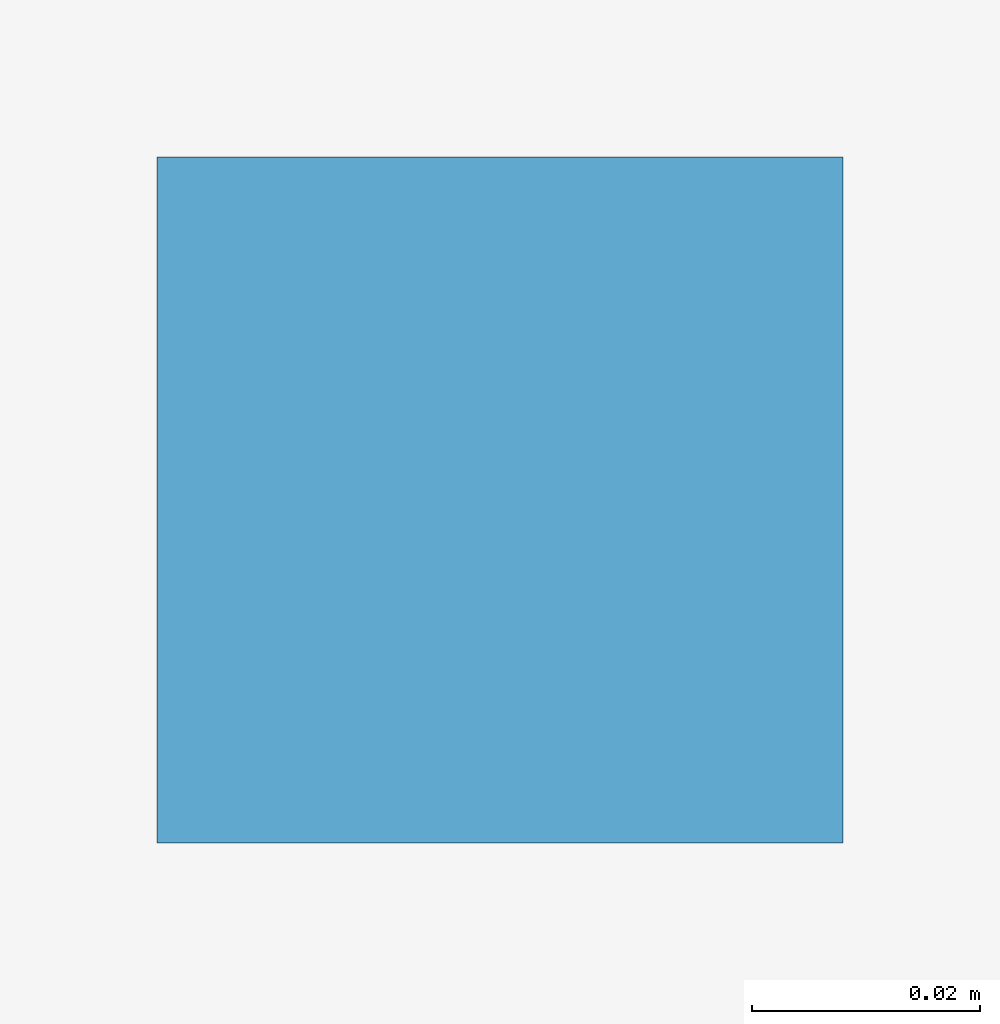
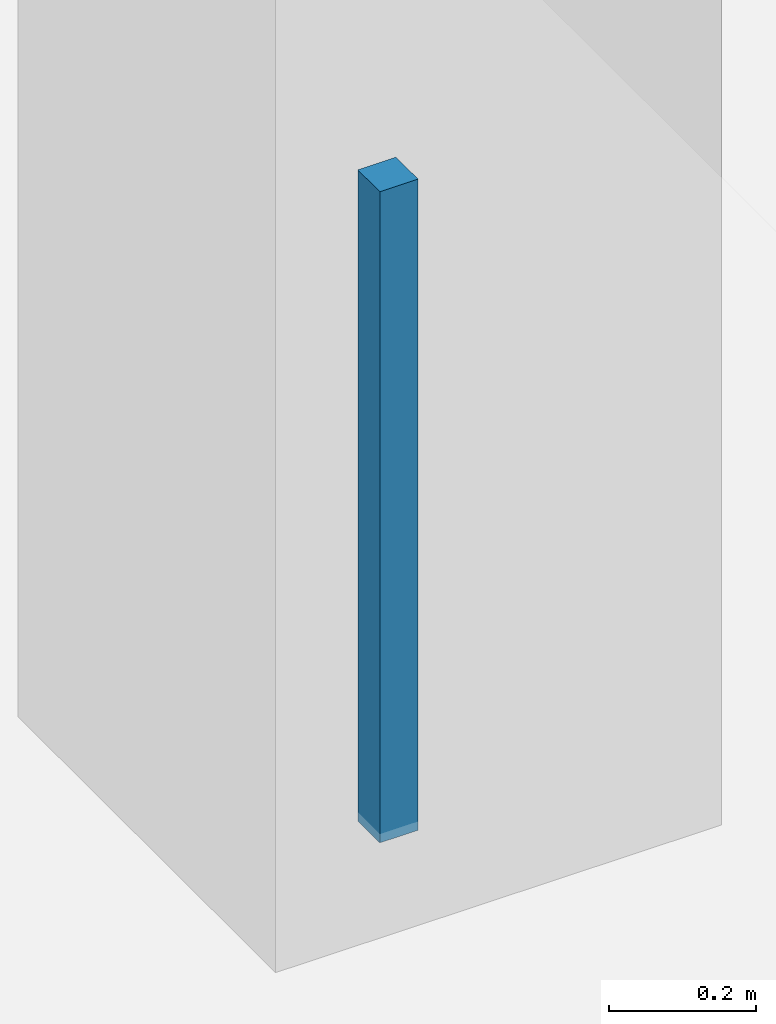
# One storey, part 83 of 91: 1 discrete accessory.
"""IFC4 building model written with IfcOpenShell, lengths in metres."""

import ifcopenshell
import ifcopenshell.guid

model = None  # the IFC model being written
_history = None  # IfcOwnerHistory: only IFC2X3 demands one
_inside = {}  # id of a spatial element -> (the spatial element, [elements in it])
_under = {}  # id of a project, library or spatial element -> (it, [spatial elements below it])
_declared = {}  # id of a project -> (the project, [libraries it declares])
_typed = {}  # id of a type object -> (the type object, [elements of that type])
_made_of = {}  # id of a material, layer set ... -> (it, [elements and type objects made of it])


def new_model(schema):
    """Start an empty IFC model of exactly this schema.

    Asked for "IFC4X3", IfcOpenShell would pick the latest addendum, in which some entities
    have other attributes; the version numbers below select the first issue.
    IFC2X3 requires an IfcOwnerHistory on every rooted entity: one is made here for all.
    """
    global model, _history
    if schema == "IFC4X3":
        model = ifcopenshell.file(schema_version=(4, 3, 0, 0))
    else:
        model = ifcopenshell.file(schema=schema)
    _inside.clear()
    _under.clear()
    _declared.clear()
    _typed.clear()
    _made_of.clear()
    _history = None
    if model.schema == "IFC2X3":
        org = make("IfcOrganization", Name="unknown")
        user = make(
            "IfcPersonAndOrganization",
            ThePerson=make("IfcPerson", FamilyName="unknown"),
            TheOrganization=org,
        )
        app = make(
            "IfcApplication",
            ApplicationDeveloper=org,
            Version="unknown",
            ApplicationFullName="unknown",
            ApplicationIdentifier="unknown",
        )
        _history = make(
            "IfcOwnerHistory",
            OwningUser=user,
            OwningApplication=app,
            ChangeAction="ADDED",
            CreationDate=0,
        )
    return model


def make(cls, **values):
    """One entity of the class cls with the attributes given. An attribute that is None is left unset."""
    return model.create_entity(
        cls, **{name: value for name, value in values.items() if value is not None}
    )


def rooted(cls, **values):
    """An entity with a GlobalId (a new one), such as an element, a storey or a relation."""
    return make(cls, GlobalId=ifcopenshell.guid.new(), OwnerHistory=_history, **values)


def si_unit(unit_type, name, prefix=None):
    """IfcSIUnit, for example si_unit("LENGTHUNIT", "METRE", prefix="MILLI")."""
    return make("IfcSIUnit", UnitType=unit_type, Prefix=prefix, Name=name)


def assignment(units):
    """IfcUnitAssignment: the units of a project."""
    return None if units is None else make("IfcUnitAssignment", Units=units)


def point(xyz):
    """IfcCartesianPoint."""
    return None if xyz is None else make("IfcCartesianPoint", Coordinates=xyz)


def direction(xyz):
    """IfcDirection."""
    return None if xyz is None else make("IfcDirection", DirectionRatios=xyz)


def frame(location, z_axis=None, x_axis=None):
    """IfcAxis2Placement3D, a coordinate frame: its origin and axes. An axis left out is left unset."""
    return make(
        "IfcAxis2Placement3D",
        Location=point(location),
        Axis=direction(z_axis),
        RefDirection=direction(x_axis),
    )


def frame_2d(location, x_axis=None):
    """IfcAxis2Placement2D, a coordinate frame in the plane: its origin and x axis."""
    return make(
        "IfcAxis2Placement2D", Location=point(location), RefDirection=direction(x_axis)
    )


def origin():
    """The frame at (0, 0, 0) with its axes left unset."""
    return frame((0.0, 0.0, 0.0))


def origin_2d():
    """The frame at (0, 0) in the plane with its x axis left unset."""
    return frame_2d((0.0, 0.0))


def place(relative_to, where):
    """IfcLocalPlacement: puts the frame where relative to a parent placement (None: the world)."""
    return make(
        "IfcLocalPlacement", PlacementRelTo=relative_to, RelativePlacement=where
    )


def context(
    kind, dimensions, precision=None, world=None, true_north=None, identifier=None
):
    """IfcGeometricRepresentationContext, for example the 3D "Model" context."""
    return make(
        "IfcGeometricRepresentationContext",
        ContextIdentifier=identifier,
        ContextType=kind,
        CoordinateSpaceDimension=dimensions,
        Precision=precision,
        WorldCoordinateSystem=world,
        TrueNorth=true_north,
    )


def subcontext(parent, identifier, kind, view, scale=None):
    """IfcGeometricRepresentationSubContext, for example "Body" below "Model"."""
    return make(
        "IfcGeometricRepresentationSubContext",
        ContextIdentifier=identifier,
        ContextType=kind,
        ParentContext=parent,
        TargetScale=scale,
        TargetView=view,
    )


def project(units=None, contexts=None):
    """IfcProject with its units and contexts."""
    return rooted(
        "IfcProject",
        Name="project",
        RepresentationContexts=contexts,
        UnitsInContext=assignment(units),
    )


def spatial(cls, under=None, at=None, **own):
    """A site, building, storey or space (cls), placed at a placement, below another one or the project."""
    s = rooted(cls, ObjectPlacement=at, **own)
    if under is not None:
        _under.setdefault(under.id(), (under, []))[1].append(s)
    return s


def profile(cls, at=None, kind="AREA", **sizes):
    """A parametric profile (cls). Its sizes go by their IFC names, for example OverallWidth=200.0."""
    return make(cls, ProfileType=kind, Position=at, **sizes)


def rectangle(**sizes):
    """IfcRectangleProfileDef."""
    return profile("IfcRectangleProfileDef", **sizes)


def extrude(swept, where, along, depth):
    """IfcExtrudedAreaSolid: the profile swept, set in the frame where, extruded along a direction by depth."""
    return make(
        "IfcExtrudedAreaSolid",
        SweptArea=swept,
        Position=where,
        ExtrudedDirection=direction(along),
        Depth=depth,
    )


def shape(context_of_items, identifier, shape_type, items):
    """IfcShapeRepresentation: the items that make up one representation, for example the "Body"."""
    return make(
        "IfcShapeRepresentation",
        ContextOfItems=context_of_items,
        RepresentationIdentifier=identifier,
        RepresentationType=shape_type,
        Items=items,
    )


def material(Name=None, Category=None):
    """IfcMaterial."""
    return make("IfcMaterial", Name=Name, Category=Category)


def made_of(thing, what):
    """Note that an element or type object is made of a material, layer set ...; save() writes the relation."""
    if what is not None:
        _made_of.setdefault(what.id(), (what, []))[1].append(thing)
    return thing


def type_object(cls, material=None, **own):
    """A type object (cls), such as IfcWallType, which elements share."""
    return made_of(rooted(cls, **own), material)


def element(
    cls,
    number,
    at=None,
    inside=None,
    cuts=None,
    type_object=None,
    material=None,
    context=None,
    identifier="Body",
    shape_type=None,
    held_by="IfcProductDefinitionShape",
    body=None,
    shapes=None,
    **own,
):
    """One element of the class cls, such as IfcWall. Its Tag is "e" and its number.

    at: its placement. inside: the storey or other place that contains it. cuts: it is an
    opening in that element (IfcRelVoidsElement). A single representation is given by context,
    identifier, shape_type and body (its items); several are given by shapes. held_by: the class
    of the entity that holds the representations. save() writes the other relations.
    """
    e = rooted(cls, Tag="e%d" % number, ObjectPlacement=at, **own)
    if body is not None:
        shapes = [shape(context, identifier, shape_type, body)]
    if shapes is not None:
        e.Representation = make(held_by, Representations=shapes)
    if inside is not None:
        _inside.setdefault(inside.id(), (inside, []))[1].append(e)
    if cuts is not None:
        rooted(
            "IfcRelVoidsElement", RelatingBuildingElement=cuts, RelatedOpeningElement=e
        )
    if type_object is not None:
        _typed.setdefault(type_object.id(), (type_object, []))[1].append(e)
    return made_of(e, material)


def aggregate(whole, parts):
    """IfcRelAggregates: a whole, such as a stair, and the parts it consists of."""
    return rooted("IfcRelAggregates", RelatingObject=whole, RelatedObjects=parts)


def save(model, path):
    """Write the relations noted so far, then the file.

    IfcRelAggregates (storeys below a building ...), IfcRelContainedInSpatialStructure (elements
    in a storey), IfcRelDefinesByType, IfcRelAssociatesMaterial and IfcRelDeclares: one each for
    every whole, place, type object, material and project.
    """
    for whole, parts in _under.values():
        aggregate(whole, parts)
    for where, things in _inside.values():
        rooted(
            "IfcRelContainedInSpatialStructure",
            RelatedElements=things,
            RelatingStructure=where,
        )
    for kind, things in _typed.values():
        rooted("IfcRelDefinesByType", RelatedObjects=things, RelatingType=kind)
    for what, things in _made_of.values():
        rooted("IfcRelAssociatesMaterial", RelatedObjects=things, RelatingMaterial=what)
    for by, libraries in _declared.values():
        rooted("IfcRelDeclares", RelatingContext=by, RelatedDefinitions=libraries)
    model.write(path)


model = new_model("IFC4")

# Units and contexts
model_context = context("Model", 3, precision=1e-05, world=origin(), true_north=direction((0.0, 1.0)))
body_context = subcontext(model_context, "Body", "Model", "MODEL_VIEW")
ifc_project = project(units=[si_unit("LENGTHUNIT", "METRE"), si_unit("AREAUNIT", "SQUARE_METRE"), si_unit("VOLUMEUNIT", "CUBIC_METRE"), si_unit("PLANEANGLEUNIT", "RADIAN"), si_unit("MASSUNIT", "GRAM", prefix="KILO")], contexts=[model_context])

# Site, building, storey
site_placement = place(None, origin())
site = spatial("IfcSite", under=ifc_project, at=site_placement, CompositionType="ELEMENT")
building_placement = place(site_placement, origin())
building = spatial("IfcBuilding", under=site, at=building_placement, Name="Kangsadwip Square Police Headquarters", CompositionType="ELEMENT")
storey_placement = place(building_placement, frame((0.0, 0.0, 13.5)))
storey = spatial("IfcBuildingStorey", under=building, at=storey_placement, Name="L03", CompositionType="ELEMENT", Elevation=13.5)

# Discrete accessory
ifc_material = material(Name="Structural steel IS 2062 E350 (Grade 350, 350 MPa)", Category="steel")
discrete_accessory_type = type_object("IfcDiscreteAccessoryType", Name="VeilOutriggerBracket", PredefinedType="BRACKET", material=ifc_material)
discrete_accessory_placement = place(storey_placement, frame((149.14990234375, 68.39990234375, 2.81005859375), z_axis=(0.0, 0.0, 1.0), x_axis=(1.0, 0.0, 0.0)))
element("IfcDiscreteAccessory", 1, at=discrete_accessory_placement, inside=storey, type_object=discrete_accessory_type, Name="Ceiling Suspension Hanger L03-107", PredefinedType="BRACKET", context=body_context, shape_type="SweptSolid", body=[
    extrude(rectangle(XDim=0.06005859375, YDim=0.06005859375, at=origin_2d()), origin(), (0.0, 0.0, 1.0), 1.080078125),
])

save(model, "model.ifc")
